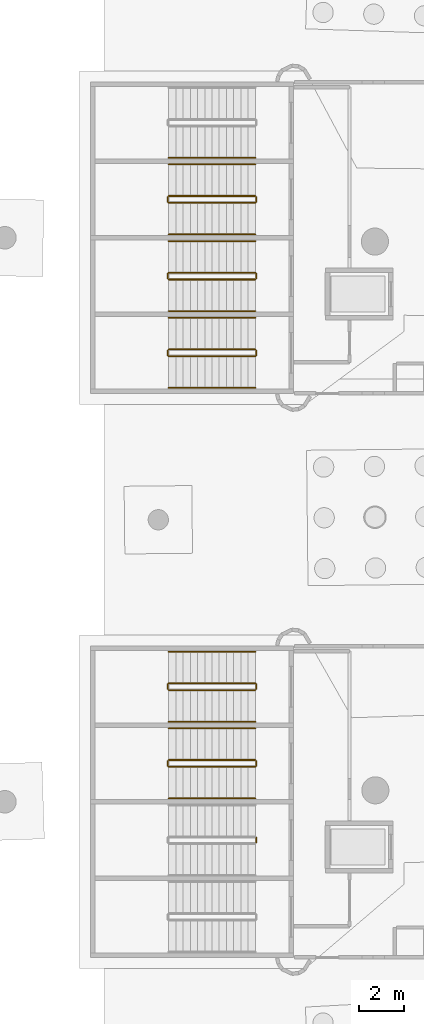
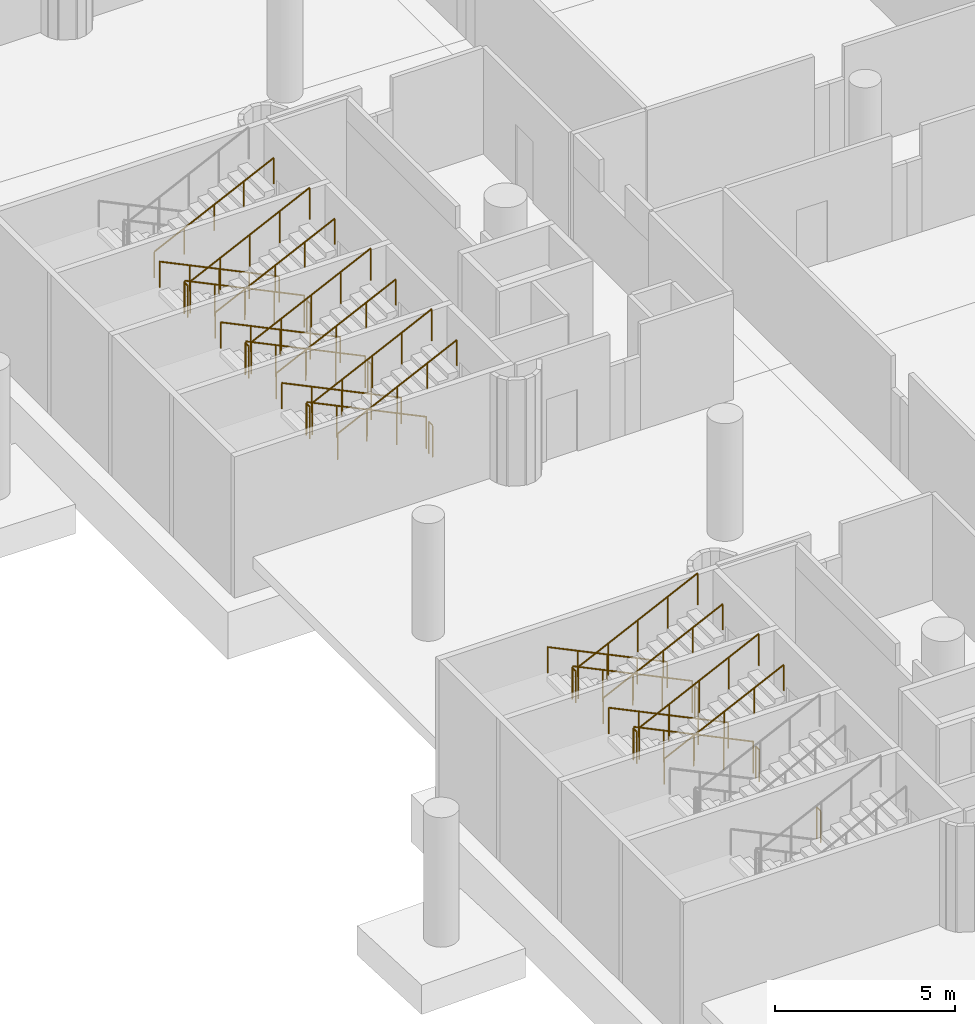
# One storey, part 116 of 142: 32 railings.
"""IFC4 building model written with IfcOpenShell, lengths in metres."""

from ifc_helpers import new_model, si_unit, direction, frame, origin, origin_2d, place, context, subcontext, project, spatial, circle, extrude, material, type_object, element, save


model = new_model("IFC4")

# Units and contexts
model_context = context("Model", 3, precision=1e-05, world=origin(), true_north=direction((0.0, 1.0)))
body_context = subcontext(model_context, "Body", "Model", "MODEL_VIEW")
ifc_project = project(units=[si_unit("LENGTHUNIT", "METRE"), si_unit("AREAUNIT", "SQUARE_METRE"), si_unit("VOLUMEUNIT", "CUBIC_METRE"), si_unit("PLANEANGLEUNIT", "RADIAN"), si_unit("MASSUNIT", "GRAM", prefix="KILO")], contexts=[model_context])

# Site, building, storey
site_placement = place(None, origin())
site = spatial("IfcSite", under=ifc_project, at=site_placement, CompositionType="ELEMENT")
building_placement = place(site_placement, origin())
building = spatial("IfcBuilding", under=site, at=building_placement, Name="Meseta Stadium", CompositionType="ELEMENT")
storey_placement = place(building_placement, frame((0.0, 0.0, -4.0)))
storey = spatial("IfcBuildingStorey", under=building, at=storey_placement, Name="B1", CompositionType="ELEMENT", Elevation=-4.0)

# Railings
ifc_material_1 = material(Name="Steel S355", Category="steel")
railing_type_1 = type_object("IfcRailingType", Name="Stair guard 1100", PredefinedType="GUARDRAIL", material=ifc_material_1)
railing_1_placement = place(storey_placement, frame((-90.300048828125, 8.10009765625, 0.15380859375)))
element("IfcRailing", 1, at=railing_1_placement, inside=storey, type_object=railing_type_1, Name="ST66 B1 guard 1", PredefinedType="GUARDRAIL", context=body_context, shape_type="SweptSolid", body=[
    extrude(circle(Radius=0.02392578125, at=origin_2d()), frame((0.0, 0.0, 1.076171875), z_axis=(-0.901242096526, 0.0, 0.43331591645), x_axis=(0.0, -1.0, 0.0)), (0.0, 0.0, 1.0), 4.260498046875),
    extrude(circle(Radius=0.02099609375, at=origin_2d()), origin(), (0.0, 0.0, 1.0), 1.052001953125),
    extrude(circle(Radius=0.02099609375, at=origin_2d()), frame((-0.9599609375, 0.0, 0.46142578125)), (0.0, 0.0, 1.0), 1.052001953125),
    extrude(circle(Radius=0.02099609375, at=origin_2d()), frame((-1.919921875, 0.0, 0.923095703125)), (0.0, 0.0, 1.0), 1.052001953125),
    extrude(circle(Radius=0.02099609375, at=origin_2d()), frame((-2.8798828125, 0.0, 1.384765625)), (0.0, 0.0, 1.0), 1.052001953125),
    extrude(circle(Radius=0.02099609375, at=origin_2d()), frame((-3.83984375, 0.0, 1.84619140625)), (0.0, 0.0, 1.0), 1.052001953125),
])
railing_2_placement = place(storey_placement, frame((-94.18994140625, 8.050048828125, 2.0)))
element("IfcRailing", 2, at=railing_2_placement, inside=storey, type_object=railing_type_1, Name="ST66 B1 guard 2", PredefinedType="GUARDRAIL", context=body_context, shape_type="SweptSolid", body=[
    extrude(circle(Radius=0.02392578125, at=origin_2d()), frame((0.0, 0.0, 1.076171875), z_axis=(0.0, -1.0, 0.0), x_axis=(1.0, 0.0, 0.0)), (0.0, 0.0, 1.0), 0.199951171875),
    extrude(circle(Radius=0.02099609375, at=origin_2d()), origin(), (0.0, 0.0, 1.0), 1.052001953125),
    extrude(circle(Radius=0.02099609375, at=origin_2d()), frame((0.0, -0.199951171875, 0.0)), (0.0, 0.0, 1.0), 1.052001953125),
])
railing_3_placement = place(storey_placement, frame((-94.139892578125, 7.800048828125, 2.15380859375)))
element("IfcRailing", 3, at=railing_3_placement, inside=storey, type_object=railing_type_1, Name="ST66 B1 guard 3", PredefinedType="GUARDRAIL", context=body_context, shape_type="SweptSolid", body=[
    extrude(circle(Radius=0.02392578125, at=origin_2d()), frame((0.0, 0.0, 1.076171875), z_axis=(0.901242096526, 0.0, 0.43331591645), x_axis=(0.0, 1.0, 0.0)), (0.0, 0.0, 1.0), 4.260498046875),
    extrude(circle(Radius=0.02099609375, at=origin_2d()), origin(), (0.0, 0.0, 1.0), 1.052001953125),
    extrude(circle(Radius=0.02099609375, at=origin_2d()), frame((0.9599609375, 0.0, 0.46142578125)), (0.0, 0.0, 1.0), 1.052001953125),
    extrude(circle(Radius=0.02099609375, at=origin_2d()), frame((1.919921875, 0.0, 0.923095703125)), (0.0, 0.0, 1.0), 1.052001953125),
    extrude(circle(Radius=0.02099609375, at=origin_2d()), frame((2.8798828125, 0.0, 1.384765625)), (0.0, 0.0, 1.0), 1.052001953125),
    extrude(circle(Radius=0.02099609375, at=origin_2d()), frame((3.83984375, 0.0, 1.84619140625)), (0.0, 0.0, 1.0), 1.052001953125),
])
railing_4_placement = place(storey_placement, frame((-90.25, 8.050048828125, 0.0)))
element("IfcRailing", 4, at=railing_4_placement, inside=storey, type_object=railing_type_1, Name="ST66 B1 guard 4", PredefinedType="GUARDRAIL", context=body_context, shape_type="SweptSolid", body=[
    extrude(circle(Radius=0.02392578125, at=origin_2d()), frame((0.0, 0.0, 1.076171875), z_axis=(0.0, -1.0, 0.0), x_axis=(1.0, 0.0, 0.0)), (0.0, 0.0, 1.0), 0.199951171875),
    extrude(circle(Radius=0.02099609375, at=origin_2d()), origin(), (0.0, 0.0, 1.0), 1.052001953125),
    extrude(circle(Radius=0.02099609375, at=origin_2d()), frame((0.0, -0.199951171875, 0.0)), (0.0, 0.0, 1.0), 1.052001953125),
])
railing_5_placement = place(storey_placement, frame((-90.300048828125, 4.699951171875, 0.15380859375)))
element("IfcRailing", 5, at=railing_5_placement, inside=storey, type_object=railing_type_1, Name="ST67 B1 guard 1", PredefinedType="GUARDRAIL", context=body_context, shape_type="SweptSolid", body=[
    extrude(circle(Radius=0.02392578125, at=origin_2d()), frame((0.0, 0.0, 1.076171875), z_axis=(-0.901242096526, 0.0, 0.43331591645), x_axis=(0.0, -1.0, 0.0)), (0.0, 0.0, 1.0), 4.260498046875),
    extrude(circle(Radius=0.02099609375, at=origin_2d()), origin(), (0.0, 0.0, 1.0), 1.052001953125),
    extrude(circle(Radius=0.02099609375, at=origin_2d()), frame((-0.9599609375, 0.0, 0.46142578125)), (0.0, 0.0, 1.0), 1.052001953125),
    extrude(circle(Radius=0.02099609375, at=origin_2d()), frame((-1.919921875, 0.0, 0.923095703125)), (0.0, 0.0, 1.0), 1.052001953125),
    extrude(circle(Radius=0.02099609375, at=origin_2d()), frame((-2.8798828125, 0.0, 1.384765625)), (0.0, 0.0, 1.0), 1.052001953125),
    extrude(circle(Radius=0.02099609375, at=origin_2d()), frame((-3.83984375, 0.0, 1.84619140625)), (0.0, 0.0, 1.0), 1.052001953125),
])
railing_6_placement = place(storey_placement, frame((-94.18994140625, 4.64990234375, 2.0)))
element("IfcRailing", 6, at=railing_6_placement, inside=storey, type_object=railing_type_1, Name="ST67 B1 guard 2", PredefinedType="GUARDRAIL", context=body_context, shape_type="SweptSolid", body=[
    extrude(circle(Radius=0.02392578125, at=origin_2d()), frame((0.0, 0.0, 1.076171875), z_axis=(0.0, -1.0, 0.0), x_axis=(1.0, 0.0, 0.0)), (0.0, 0.0, 1.0), 0.199951171875),
    extrude(circle(Radius=0.02099609375, at=origin_2d()), origin(), (0.0, 0.0, 1.0), 1.052001953125),
    extrude(circle(Radius=0.02099609375, at=origin_2d()), frame((0.0, -0.199951171875, 0.0)), (0.0, 0.0, 1.0), 1.052001953125),
])
railing_7_placement = place(storey_placement, frame((-94.139892578125, 4.39990234375, 2.15380859375)))
element("IfcRailing", 7, at=railing_7_placement, inside=storey, type_object=railing_type_1, Name="ST67 B1 guard 3", PredefinedType="GUARDRAIL", context=body_context, shape_type="SweptSolid", body=[
    extrude(circle(Radius=0.02392578125, at=origin_2d()), frame((0.0, 0.0, 1.076171875), z_axis=(0.901242096526, 0.0, 0.43331591645), x_axis=(0.0, 1.0, 0.0)), (0.0, 0.0, 1.0), 4.260498046875),
    extrude(circle(Radius=0.02099609375, at=origin_2d()), origin(), (0.0, 0.0, 1.0), 1.052001953125),
    extrude(circle(Radius=0.02099609375, at=origin_2d()), frame((0.9599609375, 0.0, 0.46142578125)), (0.0, 0.0, 1.0), 1.052001953125),
    extrude(circle(Radius=0.02099609375, at=origin_2d()), frame((1.919921875, 0.0, 0.923095703125)), (0.0, 0.0, 1.0), 1.052001953125),
    extrude(circle(Radius=0.02099609375, at=origin_2d()), frame((2.8798828125, 0.0, 1.384765625)), (0.0, 0.0, 1.0), 1.052001953125),
    extrude(circle(Radius=0.02099609375, at=origin_2d()), frame((3.83984375, 0.0, 1.84619140625)), (0.0, 0.0, 1.0), 1.052001953125),
])
railing_8_placement = place(storey_placement, frame((-90.25, 4.64990234375, 0.0)))
element("IfcRailing", 8, at=railing_8_placement, inside=storey, type_object=railing_type_1, Name="ST67 B1 guard 4", PredefinedType="GUARDRAIL", context=body_context, shape_type="SweptSolid", body=[
    extrude(circle(Radius=0.02392578125, at=origin_2d()), frame((0.0, 0.0, 1.076171875), z_axis=(0.0, -1.0, 0.0), x_axis=(1.0, 0.0, 0.0)), (0.0, 0.0, 1.0), 0.199951171875),
    extrude(circle(Radius=0.02099609375, at=origin_2d()), origin(), (0.0, 0.0, 1.0), 1.052001953125),
    extrude(circle(Radius=0.02099609375, at=origin_2d()), frame((0.0, -0.199951171875, 0.0)), (0.0, 0.0, 1.0), 1.052001953125),
])
railing_9_placement = place(storey_placement, frame((-90.300048828125, 1.300048828125, 0.15380859375)))
element("IfcRailing", 9, at=railing_9_placement, inside=storey, type_object=railing_type_1, Name="ST68 B1 guard 1", PredefinedType="GUARDRAIL", context=body_context, shape_type="SweptSolid", body=[
    extrude(circle(Radius=0.02392578125, at=origin_2d()), frame((0.0, 0.0, 1.076171875), z_axis=(-0.901242096526, 0.0, 0.43331591645), x_axis=(0.0, -1.0, 0.0)), (0.0, 0.0, 1.0), 4.260498046875),
    extrude(circle(Radius=0.02099609375, at=origin_2d()), origin(), (0.0, 0.0, 1.0), 1.052001953125),
    extrude(circle(Radius=0.02099609375, at=origin_2d()), frame((-0.9599609375, 0.0, 0.46142578125)), (0.0, 0.0, 1.0), 1.052001953125),
    extrude(circle(Radius=0.02099609375, at=origin_2d()), frame((-1.919921875, 0.0, 0.923095703125)), (0.0, 0.0, 1.0), 1.052001953125),
    extrude(circle(Radius=0.02099609375, at=origin_2d()), frame((-2.8798828125, 0.0, 1.384765625)), (0.0, 0.0, 1.0), 1.052001953125),
    extrude(circle(Radius=0.02099609375, at=origin_2d()), frame((-3.83984375, 0.0, 1.84619140625)), (0.0, 0.0, 1.0), 1.052001953125),
])
railing_10_placement = place(storey_placement, frame((-94.18994140625, 1.25, 2.0)))
element("IfcRailing", 10, at=railing_10_placement, inside=storey, type_object=railing_type_1, Name="ST68 B1 guard 2", PredefinedType="GUARDRAIL", context=body_context, shape_type="SweptSolid", body=[
    extrude(circle(Radius=0.02392578125, at=origin_2d()), frame((0.0, 0.0, 1.076171875), z_axis=(0.0, -1.0, 0.0), x_axis=(1.0, 0.0, 0.0)), (0.0, 0.0, 1.0), 0.199951171875),
    extrude(circle(Radius=0.02099609375, at=origin_2d()), origin(), (0.0, 0.0, 1.0), 1.052001953125),
    extrude(circle(Radius=0.02099609375, at=origin_2d()), frame((0.0, -0.199951171875, 0.0)), (0.0, 0.0, 1.0), 1.052001953125),
])
railing_11_placement = place(storey_placement, frame((-94.139892578125, 1.0, 2.15380859375)))
element("IfcRailing", 11, at=railing_11_placement, inside=storey, type_object=railing_type_1, Name="ST68 B1 guard 3", PredefinedType="GUARDRAIL", context=body_context, shape_type="SweptSolid", body=[
    extrude(circle(Radius=0.02392578125, at=origin_2d()), frame((0.0, 0.0, 1.076171875), z_axis=(0.901242096526, 0.0, 0.43331591645), x_axis=(0.0, 1.0, 0.0)), (0.0, 0.0, 1.0), 4.260498046875),
    extrude(circle(Radius=0.02099609375, at=origin_2d()), origin(), (0.0, 0.0, 1.0), 1.052001953125),
    extrude(circle(Radius=0.02099609375, at=origin_2d()), frame((0.9599609375, 0.0, 0.46142578125)), (0.0, 0.0, 1.0), 1.052001953125),
    extrude(circle(Radius=0.02099609375, at=origin_2d()), frame((1.919921875, 0.0, 0.923095703125)), (0.0, 0.0, 1.0), 1.052001953125),
    extrude(circle(Radius=0.02099609375, at=origin_2d()), frame((2.8798828125, 0.0, 1.384765625)), (0.0, 0.0, 1.0), 1.052001953125),
    extrude(circle(Radius=0.02099609375, at=origin_2d()), frame((3.83984375, 0.0, 1.84619140625)), (0.0, 0.0, 1.0), 1.052001953125),
])
railing_12_placement = place(storey_placement, frame((-90.25, 1.25, 0.0)))
element("IfcRailing", 12, at=railing_12_placement, inside=storey, type_object=railing_type_1, Name="ST68 B1 guard 4", PredefinedType="GUARDRAIL", context=body_context, shape_type="SweptSolid", body=[
    extrude(circle(Radius=0.02392578125, at=origin_2d()), frame((0.0, 0.0, 1.076171875), z_axis=(0.0, -1.0, 0.0), x_axis=(1.0, 0.0, 0.0)), (0.0, 0.0, 1.0), 0.199951171875),
    extrude(circle(Radius=0.02099609375, at=origin_2d()), origin(), (0.0, 0.0, 1.0), 1.052001953125),
    extrude(circle(Radius=0.02099609375, at=origin_2d()), frame((0.0, -0.199951171875, 0.0)), (0.0, 0.0, 1.0), 1.052001953125),
])
railing_13_placement = place(storey_placement, frame((-90.300048828125, -13.5, 0.15380859375)))
element("IfcRailing", 13, at=railing_13_placement, inside=storey, type_object=railing_type_1, Name="ST69 B1 guard 1", PredefinedType="GUARDRAIL", context=body_context, shape_type="SweptSolid", body=[
    extrude(circle(Radius=0.02392578125, at=origin_2d()), frame((0.0, 0.0, 1.076171875), z_axis=(-0.901242096526, 0.0, 0.43331591645), x_axis=(0.0, -1.0, 0.0)), (0.0, 0.0, 1.0), 4.260498046875),
    extrude(circle(Radius=0.02099609375, at=origin_2d()), origin(), (0.0, 0.0, 1.0), 1.052001953125),
    extrude(circle(Radius=0.02099609375, at=origin_2d()), frame((-0.9599609375, 0.0, 0.46142578125)), (0.0, 0.0, 1.0), 1.052001953125),
    extrude(circle(Radius=0.02099609375, at=origin_2d()), frame((-1.919921875, 0.0, 0.923095703125)), (0.0, 0.0, 1.0), 1.052001953125),
    extrude(circle(Radius=0.02099609375, at=origin_2d()), frame((-2.8798828125, 0.0, 1.384765625)), (0.0, 0.0, 1.0), 1.052001953125),
    extrude(circle(Radius=0.02099609375, at=origin_2d()), frame((-3.83984375, 0.0, 1.84619140625)), (0.0, 0.0, 1.0), 1.052001953125),
])
railing_14_placement = place(storey_placement, frame((-94.18994140625, -13.550048828125, 2.0)))
element("IfcRailing", 14, at=railing_14_placement, inside=storey, type_object=railing_type_1, Name="ST69 B1 guard 2", PredefinedType="GUARDRAIL", context=body_context, shape_type="SweptSolid", body=[
    extrude(circle(Radius=0.02392578125, at=origin_2d()), frame((0.0, 0.0, 1.076171875), z_axis=(0.0, -1.0, 0.0), x_axis=(1.0, 0.0, 0.0)), (0.0, 0.0, 1.0), 0.199951171875),
    extrude(circle(Radius=0.02099609375, at=origin_2d()), origin(), (0.0, 0.0, 1.0), 1.052001953125),
    extrude(circle(Radius=0.02099609375, at=origin_2d()), frame((0.0, -0.199951171875, 0.0)), (0.0, 0.0, 1.0), 1.052001953125),
])
railing_15_placement = place(storey_placement, frame((-94.139892578125, -13.800048828125, 2.15380859375)))
element("IfcRailing", 15, at=railing_15_placement, inside=storey, type_object=railing_type_1, Name="ST69 B1 guard 3", PredefinedType="GUARDRAIL", context=body_context, shape_type="SweptSolid", body=[
    extrude(circle(Radius=0.02392578125, at=origin_2d()), frame((0.0, 0.0, 1.076171875), z_axis=(0.901242096526, 0.0, 0.43331591645), x_axis=(0.0, 1.0, 0.0)), (0.0, 0.0, 1.0), 4.260498046875),
    extrude(circle(Radius=0.02099609375, at=origin_2d()), origin(), (0.0, 0.0, 1.0), 1.052001953125),
    extrude(circle(Radius=0.02099609375, at=origin_2d()), frame((0.9599609375, 0.0, 0.46142578125)), (0.0, 0.0, 1.0), 1.052001953125),
    extrude(circle(Radius=0.02099609375, at=origin_2d()), frame((1.919921875, 0.0, 0.923095703125)), (0.0, 0.0, 1.0), 1.052001953125),
    extrude(circle(Radius=0.02099609375, at=origin_2d()), frame((2.8798828125, 0.0, 1.384765625)), (0.0, 0.0, 1.0), 1.052001953125),
    extrude(circle(Radius=0.02099609375, at=origin_2d()), frame((3.83984375, 0.0, 1.84619140625)), (0.0, 0.0, 1.0), 1.052001953125),
])
railing_16_placement = place(storey_placement, frame((-90.25, -13.550048828125, 0.0)))
element("IfcRailing", 16, at=railing_16_placement, inside=storey, type_object=railing_type_1, Name="ST69 B1 guard 4", PredefinedType="GUARDRAIL", context=body_context, shape_type="SweptSolid", body=[
    extrude(circle(Radius=0.02392578125, at=origin_2d()), frame((0.0, 0.0, 1.076171875), z_axis=(0.0, -1.0, 0.0), x_axis=(1.0, 0.0, 0.0)), (0.0, 0.0, 1.0), 0.199951171875),
    extrude(circle(Radius=0.02099609375, at=origin_2d()), origin(), (0.0, 0.0, 1.0), 1.052001953125),
    extrude(circle(Radius=0.02099609375, at=origin_2d()), frame((0.0, -0.199951171875, 0.0)), (0.0, 0.0, 1.0), 1.052001953125),
])
railing_17_placement = place(storey_placement, frame((-90.300048828125, -16.89990234375, 0.15380859375)))
element("IfcRailing", 17, at=railing_17_placement, inside=storey, type_object=railing_type_1, Name="ST70 B1 guard 1", PredefinedType="GUARDRAIL", context=body_context, shape_type="SweptSolid", body=[
    extrude(circle(Radius=0.02392578125, at=origin_2d()), frame((0.0, 0.0, 1.076171875), z_axis=(-0.901242096526, 0.0, 0.43331591645), x_axis=(0.0, -1.0, 0.0)), (0.0, 0.0, 1.0), 4.260498046875),
    extrude(circle(Radius=0.02099609375, at=origin_2d()), origin(), (0.0, 0.0, 1.0), 1.052001953125),
    extrude(circle(Radius=0.02099609375, at=origin_2d()), frame((-0.9599609375, 0.0, 0.46142578125)), (0.0, 0.0, 1.0), 1.052001953125),
    extrude(circle(Radius=0.02099609375, at=origin_2d()), frame((-1.919921875, 0.0, 0.923095703125)), (0.0, 0.0, 1.0), 1.052001953125),
    extrude(circle(Radius=0.02099609375, at=origin_2d()), frame((-2.8798828125, 0.0, 1.384765625)), (0.0, 0.0, 1.0), 1.052001953125),
    extrude(circle(Radius=0.02099609375, at=origin_2d()), frame((-3.83984375, 0.0, 1.84619140625)), (0.0, 0.0, 1.0), 1.052001953125),
])
railing_18_placement = place(storey_placement, frame((-94.18994140625, -16.949951171875, 2.0)))
element("IfcRailing", 18, at=railing_18_placement, inside=storey, type_object=railing_type_1, Name="ST70 B1 guard 2", PredefinedType="GUARDRAIL", context=body_context, shape_type="SweptSolid", body=[
    extrude(circle(Radius=0.02392578125, at=origin_2d()), frame((0.0, 0.0, 1.076171875), z_axis=(0.0, -1.0, 0.0), x_axis=(1.0, 0.0, 0.0)), (0.0, 0.0, 1.0), 0.199951171875),
    extrude(circle(Radius=0.02099609375, at=origin_2d()), origin(), (0.0, 0.0, 1.0), 1.052001953125),
    extrude(circle(Radius=0.02099609375, at=origin_2d()), frame((0.0, -0.199951171875, 0.0)), (0.0, 0.0, 1.0), 1.052001953125),
])
railing_19_placement = place(storey_placement, frame((-94.139892578125, -17.199951171875, 2.15380859375)))
element("IfcRailing", 19, at=railing_19_placement, inside=storey, type_object=railing_type_1, Name="ST70 B1 guard 3", PredefinedType="GUARDRAIL", context=body_context, shape_type="SweptSolid", body=[
    extrude(circle(Radius=0.02392578125, at=origin_2d()), frame((0.0, 0.0, 1.076171875), z_axis=(0.901242096526, 0.0, 0.43331591645), x_axis=(0.0, 1.0, 0.0)), (0.0, 0.0, 1.0), 4.260498046875),
    extrude(circle(Radius=0.02099609375, at=origin_2d()), origin(), (0.0, 0.0, 1.0), 1.052001953125),
    extrude(circle(Radius=0.02099609375, at=origin_2d()), frame((0.9599609375, 0.0, 0.46142578125)), (0.0, 0.0, 1.0), 1.052001953125),
    extrude(circle(Radius=0.02099609375, at=origin_2d()), frame((1.919921875, 0.0, 0.923095703125)), (0.0, 0.0, 1.0), 1.052001953125),
    extrude(circle(Radius=0.02099609375, at=origin_2d()), frame((2.8798828125, 0.0, 1.384765625)), (0.0, 0.0, 1.0), 1.052001953125),
    extrude(circle(Radius=0.02099609375, at=origin_2d()), frame((3.83984375, 0.0, 1.84619140625)), (0.0, 0.0, 1.0), 1.052001953125),
])
for number, where, name in (
    (20, (-90.25, -16.949951171875, 0.0), "ST70 B1 guard 4"),
    (21, (-90.25, -20.35009765625, 0.0), "ST71 B1 guard 4"),
):
    element("IfcRailing", number, at=place(storey_placement, frame(where)), inside=storey, type_object=railing_type_1, Name=name, PredefinedType="GUARDRAIL", context=body_context, shape_type="SweptSolid", body=[
        extrude(circle(Radius=0.02392578125, at=origin_2d()), frame((0.0, 0.0, 1.076171875), z_axis=(0.0, -1.0, 0.0), x_axis=(1.0, 0.0, 0.0)), (0.0, 0.0, 1.0), 0.199951171875),
        extrude(circle(Radius=0.02099609375, at=origin_2d()), origin(), (0.0, 0.0, 1.0), 1.052001953125),
        extrude(circle(Radius=0.02099609375, at=origin_2d()), frame((0.0, -0.199951171875, 0.0)), (0.0, 0.0, 1.0), 1.052001953125),
    ])
ifc_material_2 = material(Name="Steel S355", Category="steel")
railing_type_2 = type_object("IfcRailingType", Name="Stair handrail 900", PredefinedType="HANDRAIL", material=ifc_material_2)
railing_20_placement = place(storey_placement, frame((-94.139892578125, 9.800048828125, 2.15380859375)))
element("IfcRailing", 22, at=railing_20_placement, inside=storey, type_object=railing_type_2, Name="ST65 B1 handrail 2", PredefinedType="HANDRAIL", context=body_context, shape_type="SweptSolid", body=[
    extrude(circle(Radius=0.02392578125, at=origin_2d()), frame((0.0, 0.0, 0.8759765625), z_axis=(0.901242096526, 0.0, 0.43331591645), x_axis=(0.0, 1.0, 0.0)), (0.0, 0.0, 1.0), 4.260498046875),
    extrude(circle(Radius=0.02099609375, at=origin_2d()), origin(), (0.0, 0.0, 1.0), 0.851806640625),
    extrude(circle(Radius=0.02099609375, at=origin_2d()), frame((0.9599609375, 0.0, 0.46142578125)), (0.0, 0.0, 1.0), 0.851806640625),
    extrude(circle(Radius=0.02099609375, at=origin_2d()), frame((1.919921875, 0.0, 0.923095703125)), (0.0, 0.0, 1.0), 0.851806640625),
    extrude(circle(Radius=0.02099609375, at=origin_2d()), frame((2.8798828125, 0.0, 1.384765625)), (0.0, 0.0, 1.0), 0.851806640625),
    extrude(circle(Radius=0.02099609375, at=origin_2d()), frame((3.83984375, 0.0, 1.84619140625)), (0.0, 0.0, 1.0), 0.851806640625),
])
railing_21_placement = place(storey_placement, frame((-90.300048828125, 9.5, 0.15380859375)))
element("IfcRailing", 23, at=railing_21_placement, inside=storey, type_object=railing_type_2, Name="ST66 B1 handrail 1", PredefinedType="HANDRAIL", context=body_context, shape_type="SweptSolid", body=[
    extrude(circle(Radius=0.02392578125, at=origin_2d()), frame((0.0, 0.0, 0.8759765625), z_axis=(-0.901242096526, 0.0, 0.43331591645), x_axis=(0.0, -1.0, 0.0)), (0.0, 0.0, 1.0), 4.260498046875),
    extrude(circle(Radius=0.02099609375, at=origin_2d()), origin(), (0.0, 0.0, 1.0), 0.851806640625),
    extrude(circle(Radius=0.02099609375, at=origin_2d()), frame((-0.9599609375, 0.0, 0.46142578125)), (0.0, 0.0, 1.0), 0.851806640625),
    extrude(circle(Radius=0.02099609375, at=origin_2d()), frame((-1.919921875, 0.0, 0.923095703125)), (0.0, 0.0, 1.0), 0.851806640625),
    extrude(circle(Radius=0.02099609375, at=origin_2d()), frame((-2.8798828125, 0.0, 1.384765625)), (0.0, 0.0, 1.0), 0.851806640625),
    extrude(circle(Radius=0.02099609375, at=origin_2d()), frame((-3.83984375, 0.0, 1.84619140625)), (0.0, 0.0, 1.0), 0.851806640625),
])
railing_22_placement = place(storey_placement, frame((-94.139892578125, 6.39990234375, 2.15380859375)))
element("IfcRailing", 24, at=railing_22_placement, inside=storey, type_object=railing_type_2, Name="ST66 B1 handrail 2", PredefinedType="HANDRAIL", context=body_context, shape_type="SweptSolid", body=[
    extrude(circle(Radius=0.02392578125, at=origin_2d()), frame((0.0, 0.0, 0.8759765625), z_axis=(0.901242096526, 0.0, 0.43331591645), x_axis=(0.0, 1.0, 0.0)), (0.0, 0.0, 1.0), 4.260498046875),
    extrude(circle(Radius=0.02099609375, at=origin_2d()), origin(), (0.0, 0.0, 1.0), 0.851806640625),
    extrude(circle(Radius=0.02099609375, at=origin_2d()), frame((0.9599609375, 0.0, 0.46142578125)), (0.0, 0.0, 1.0), 0.851806640625),
    extrude(circle(Radius=0.02099609375, at=origin_2d()), frame((1.919921875, 0.0, 0.923095703125)), (0.0, 0.0, 1.0), 0.851806640625),
    extrude(circle(Radius=0.02099609375, at=origin_2d()), frame((2.8798828125, 0.0, 1.384765625)), (0.0, 0.0, 1.0), 0.851806640625),
    extrude(circle(Radius=0.02099609375, at=origin_2d()), frame((3.83984375, 0.0, 1.84619140625)), (0.0, 0.0, 1.0), 0.851806640625),
])
railing_23_placement = place(storey_placement, frame((-90.300048828125, 6.10009765625, 0.15380859375)))
element("IfcRailing", 25, at=railing_23_placement, inside=storey, type_object=railing_type_2, Name="ST67 B1 handrail 1", PredefinedType="HANDRAIL", context=body_context, shape_type="SweptSolid", body=[
    extrude(circle(Radius=0.02392578125, at=origin_2d()), frame((0.0, 0.0, 0.8759765625), z_axis=(-0.901242096526, 0.0, 0.43331591645), x_axis=(0.0, -1.0, 0.0)), (0.0, 0.0, 1.0), 4.260498046875),
    extrude(circle(Radius=0.02099609375, at=origin_2d()), origin(), (0.0, 0.0, 1.0), 0.851806640625),
    extrude(circle(Radius=0.02099609375, at=origin_2d()), frame((-0.9599609375, 0.0, 0.46142578125)), (0.0, 0.0, 1.0), 0.851806640625),
    extrude(circle(Radius=0.02099609375, at=origin_2d()), frame((-1.919921875, 0.0, 0.923095703125)), (0.0, 0.0, 1.0), 0.851806640625),
    extrude(circle(Radius=0.02099609375, at=origin_2d()), frame((-2.8798828125, 0.0, 1.384765625)), (0.0, 0.0, 1.0), 0.851806640625),
    extrude(circle(Radius=0.02099609375, at=origin_2d()), frame((-3.83984375, 0.0, 1.84619140625)), (0.0, 0.0, 1.0), 0.851806640625),
])
railing_24_placement = place(storey_placement, frame((-94.139892578125, 3.0, 2.15380859375)))
element("IfcRailing", 26, at=railing_24_placement, inside=storey, type_object=railing_type_2, Name="ST67 B1 handrail 2", PredefinedType="HANDRAIL", context=body_context, shape_type="SweptSolid", body=[
    extrude(circle(Radius=0.02392578125, at=origin_2d()), frame((0.0, 0.0, 0.8759765625), z_axis=(0.901242096526, 0.0, 0.43331591645), x_axis=(0.0, 1.0, 0.0)), (0.0, 0.0, 1.0), 4.260498046875),
    extrude(circle(Radius=0.02099609375, at=origin_2d()), origin(), (0.0, 0.0, 1.0), 0.851806640625),
    extrude(circle(Radius=0.02099609375, at=origin_2d()), frame((0.9599609375, 0.0, 0.46142578125)), (0.0, 0.0, 1.0), 0.851806640625),
    extrude(circle(Radius=0.02099609375, at=origin_2d()), frame((1.919921875, 0.0, 0.923095703125)), (0.0, 0.0, 1.0), 0.851806640625),
    extrude(circle(Radius=0.02099609375, at=origin_2d()), frame((2.8798828125, 0.0, 1.384765625)), (0.0, 0.0, 1.0), 0.851806640625),
    extrude(circle(Radius=0.02099609375, at=origin_2d()), frame((3.83984375, 0.0, 1.84619140625)), (0.0, 0.0, 1.0), 0.851806640625),
])
railing_25_placement = place(storey_placement, frame((-90.300048828125, 2.699951171875, 0.15380859375)))
element("IfcRailing", 27, at=railing_25_placement, inside=storey, type_object=railing_type_2, Name="ST68 B1 handrail 1", PredefinedType="HANDRAIL", context=body_context, shape_type="SweptSolid", body=[
    extrude(circle(Radius=0.02392578125, at=origin_2d()), frame((0.0, 0.0, 0.8759765625), z_axis=(-0.901242096526, 0.0, 0.43331591645), x_axis=(0.0, -1.0, 0.0)), (0.0, 0.0, 1.0), 4.260498046875),
    extrude(circle(Radius=0.02099609375, at=origin_2d()), origin(), (0.0, 0.0, 1.0), 0.851806640625),
    extrude(circle(Radius=0.02099609375, at=origin_2d()), frame((-0.9599609375, 0.0, 0.46142578125)), (0.0, 0.0, 1.0), 0.851806640625),
    extrude(circle(Radius=0.02099609375, at=origin_2d()), frame((-1.919921875, 0.0, 0.923095703125)), (0.0, 0.0, 1.0), 0.851806640625),
    extrude(circle(Radius=0.02099609375, at=origin_2d()), frame((-2.8798828125, 0.0, 1.384765625)), (0.0, 0.0, 1.0), 0.851806640625),
    extrude(circle(Radius=0.02099609375, at=origin_2d()), frame((-3.83984375, 0.0, 1.84619140625)), (0.0, 0.0, 1.0), 0.851806640625),
])
railing_26_placement = place(storey_placement, frame((-94.139892578125, -0.39990234375, 2.15380859375)))
element("IfcRailing", 28, at=railing_26_placement, inside=storey, type_object=railing_type_2, Name="ST68 B1 handrail 2", PredefinedType="HANDRAIL", context=body_context, shape_type="SweptSolid", body=[
    extrude(circle(Radius=0.02392578125, at=origin_2d()), frame((0.0, 0.0, 0.8759765625), z_axis=(0.901242096526, 0.0, 0.43331591645), x_axis=(0.0, 1.0, 0.0)), (0.0, 0.0, 1.0), 4.260498046875),
    extrude(circle(Radius=0.02099609375, at=origin_2d()), origin(), (0.0, 0.0, 1.0), 0.851806640625),
    extrude(circle(Radius=0.02099609375, at=origin_2d()), frame((0.9599609375, 0.0, 0.46142578125)), (0.0, 0.0, 1.0), 0.851806640625),
    extrude(circle(Radius=0.02099609375, at=origin_2d()), frame((1.919921875, 0.0, 0.923095703125)), (0.0, 0.0, 1.0), 0.851806640625),
    extrude(circle(Radius=0.02099609375, at=origin_2d()), frame((2.8798828125, 0.0, 1.384765625)), (0.0, 0.0, 1.0), 0.851806640625),
    extrude(circle(Radius=0.02099609375, at=origin_2d()), frame((3.83984375, 0.0, 1.84619140625)), (0.0, 0.0, 1.0), 0.851806640625),
])
railing_27_placement = place(storey_placement, frame((-90.300048828125, -12.10009765625, 0.15380859375)))
element("IfcRailing", 29, at=railing_27_placement, inside=storey, type_object=railing_type_2, Name="ST69 B1 handrail 1", PredefinedType="HANDRAIL", context=body_context, shape_type="SweptSolid", body=[
    extrude(circle(Radius=0.02392578125, at=origin_2d()), frame((0.0, 0.0, 0.8759765625), z_axis=(-0.901242096526, 0.0, 0.43331591645), x_axis=(0.0, -1.0, 0.0)), (0.0, 0.0, 1.0), 4.260498046875),
    extrude(circle(Radius=0.02099609375, at=origin_2d()), origin(), (0.0, 0.0, 1.0), 0.851806640625),
    extrude(circle(Radius=0.02099609375, at=origin_2d()), frame((-0.9599609375, 0.0, 0.46142578125)), (0.0, 0.0, 1.0), 0.851806640625),
    extrude(circle(Radius=0.02099609375, at=origin_2d()), frame((-1.919921875, 0.0, 0.923095703125)), (0.0, 0.0, 1.0), 0.851806640625),
    extrude(circle(Radius=0.02099609375, at=origin_2d()), frame((-2.8798828125, 0.0, 1.384765625)), (0.0, 0.0, 1.0), 0.851806640625),
    extrude(circle(Radius=0.02099609375, at=origin_2d()), frame((-3.83984375, 0.0, 1.84619140625)), (0.0, 0.0, 1.0), 0.851806640625),
])
railing_28_placement = place(storey_placement, frame((-94.139892578125, -15.199951171875, 2.15380859375)))
element("IfcRailing", 30, at=railing_28_placement, inside=storey, type_object=railing_type_2, Name="ST69 B1 handrail 2", PredefinedType="HANDRAIL", context=body_context, shape_type="SweptSolid", body=[
    extrude(circle(Radius=0.02392578125, at=origin_2d()), frame((0.0, 0.0, 0.8759765625), z_axis=(0.901242096526, 0.0, 0.43331591645), x_axis=(0.0, 1.0, 0.0)), (0.0, 0.0, 1.0), 4.260498046875),
    extrude(circle(Radius=0.02099609375, at=origin_2d()), origin(), (0.0, 0.0, 1.0), 0.851806640625),
    extrude(circle(Radius=0.02099609375, at=origin_2d()), frame((0.9599609375, 0.0, 0.46142578125)), (0.0, 0.0, 1.0), 0.851806640625),
    extrude(circle(Radius=0.02099609375, at=origin_2d()), frame((1.919921875, 0.0, 0.923095703125)), (0.0, 0.0, 1.0), 0.851806640625),
    extrude(circle(Radius=0.02099609375, at=origin_2d()), frame((2.8798828125, 0.0, 1.384765625)), (0.0, 0.0, 1.0), 0.851806640625),
    extrude(circle(Radius=0.02099609375, at=origin_2d()), frame((3.83984375, 0.0, 1.84619140625)), (0.0, 0.0, 1.0), 0.851806640625),
])
railing_29_placement = place(storey_placement, frame((-90.300048828125, -15.5, 0.15380859375)))
element("IfcRailing", 31, at=railing_29_placement, inside=storey, type_object=railing_type_2, Name="ST70 B1 handrail 1", PredefinedType="HANDRAIL", context=body_context, shape_type="SweptSolid", body=[
    extrude(circle(Radius=0.02392578125, at=origin_2d()), frame((0.0, 0.0, 0.8759765625), z_axis=(-0.901242096526, 0.0, 0.43331591645), x_axis=(0.0, -1.0, 0.0)), (0.0, 0.0, 1.0), 4.260498046875),
    extrude(circle(Radius=0.02099609375, at=origin_2d()), origin(), (0.0, 0.0, 1.0), 0.851806640625),
    extrude(circle(Radius=0.02099609375, at=origin_2d()), frame((-0.9599609375, 0.0, 0.46142578125)), (0.0, 0.0, 1.0), 0.851806640625),
    extrude(circle(Radius=0.02099609375, at=origin_2d()), frame((-1.919921875, 0.0, 0.923095703125)), (0.0, 0.0, 1.0), 0.851806640625),
    extrude(circle(Radius=0.02099609375, at=origin_2d()), frame((-2.8798828125, 0.0, 1.384765625)), (0.0, 0.0, 1.0), 0.851806640625),
    extrude(circle(Radius=0.02099609375, at=origin_2d()), frame((-3.83984375, 0.0, 1.84619140625)), (0.0, 0.0, 1.0), 0.851806640625),
])
railing_30_placement = place(storey_placement, frame((-94.139892578125, -18.60009765625, 2.15380859375)))
element("IfcRailing", 32, at=railing_30_placement, inside=storey, type_object=railing_type_2, Name="ST70 B1 handrail 2", PredefinedType="HANDRAIL", context=body_context, shape_type="SweptSolid", body=[
    extrude(circle(Radius=0.02392578125, at=origin_2d()), frame((0.0, 0.0, 0.8759765625), z_axis=(0.901242096526, 0.0, 0.43331591645), x_axis=(0.0, 1.0, 0.0)), (0.0, 0.0, 1.0), 4.260498046875),
    extrude(circle(Radius=0.02099609375, at=origin_2d()), origin(), (0.0, 0.0, 1.0), 0.851806640625),
    extrude(circle(Radius=0.02099609375, at=origin_2d()), frame((0.9599609375, 0.0, 0.46142578125)), (0.0, 0.0, 1.0), 0.851806640625),
    extrude(circle(Radius=0.02099609375, at=origin_2d()), frame((1.919921875, 0.0, 0.923095703125)), (0.0, 0.0, 1.0), 0.851806640625),
    extrude(circle(Radius=0.02099609375, at=origin_2d()), frame((2.8798828125, 0.0, 1.384765625)), (0.0, 0.0, 1.0), 0.851806640625),
    extrude(circle(Radius=0.02099609375, at=origin_2d()), frame((3.83984375, 0.0, 1.84619140625)), (0.0, 0.0, 1.0), 0.851806640625),
])

save(model, "model.ifc")
